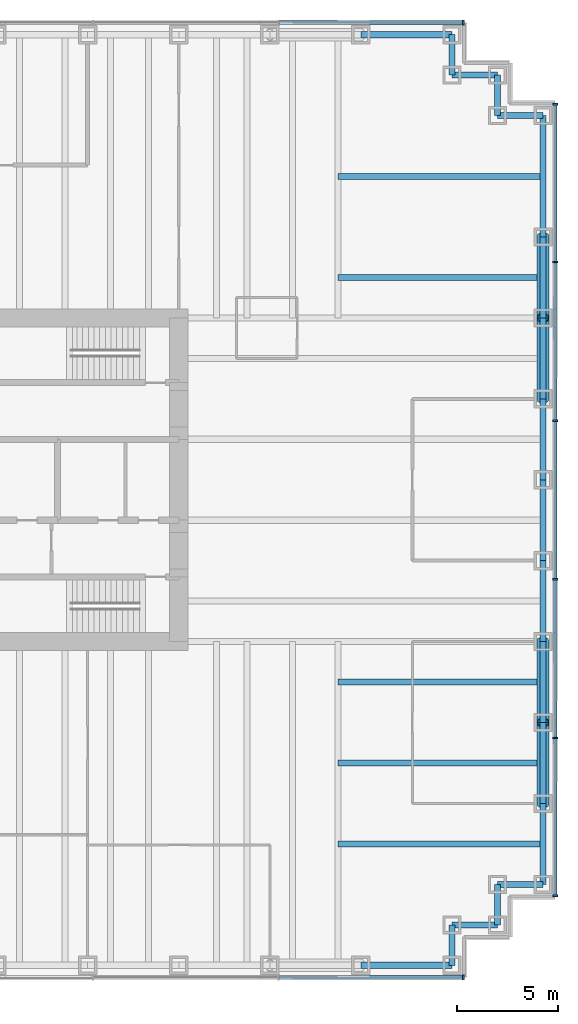
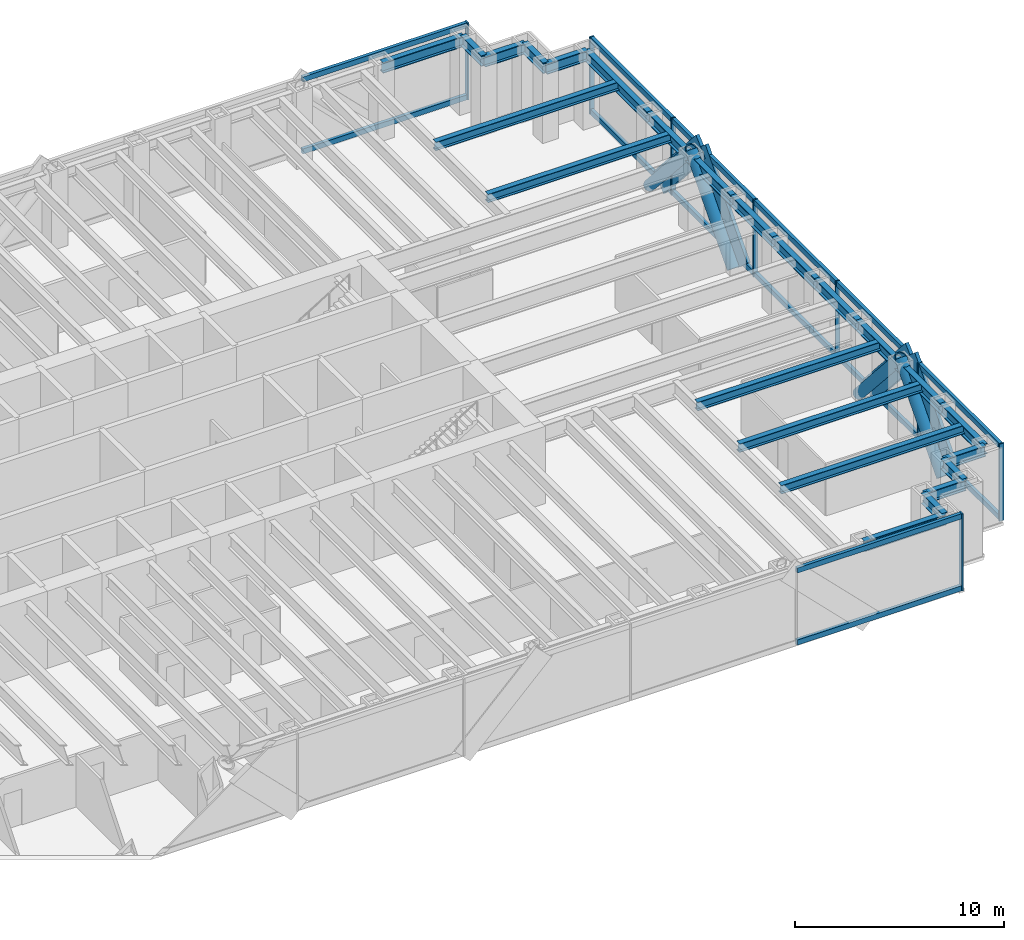
# One storey, part 7 of 13: 30 members, 24 beams, 3 elements without a shape of their own.
"""IFC4 building model written with IfcOpenShell, lengths in metres."""

from ifc_helpers import new_model, si_unit, direction, frame, origin, origin_2d, place, context, subcontext, project, spatial, rectangle, hollow_circle, i_section, extrude, material, material_profile, profile_set, type_object, element, aggregate, save


model = new_model("IFC4")

# Units and contexts
model_context = context("Model", 3, precision=1e-05, world=origin(), true_north=direction((0.0, 1.0)))
body_context = subcontext(model_context, "Body", "Model", "MODEL_VIEW")
ifc_project = project(units=[si_unit("LENGTHUNIT", "METRE"), si_unit("AREAUNIT", "SQUARE_METRE"), si_unit("VOLUMEUNIT", "CUBIC_METRE"), si_unit("PLANEANGLEUNIT", "RADIAN"), si_unit("MASSUNIT", "GRAM", prefix="KILO")], contexts=[model_context])

# Site, building, storey
site_placement = place(None, origin())
site = spatial("IfcSite", under=ifc_project, at=site_placement, CompositionType="ELEMENT")
building_placement = place(site_placement, origin())
building = spatial("IfcBuilding", under=site, at=building_placement, Name="Rheinbord Bourse Tower", CompositionType="ELEMENT")
storey_placement = place(building_placement, frame((0.0, 0.0, 68.0)))
storey = spatial("IfcBuildingStorey", under=building, at=storey_placement, Name="L14", CompositionType="ELEMENT", Elevation=68.0)

# Curtain wall, members
ifc_material_1 = material(Name="Dark glass and black aluminium", Category="aluminium")
curtain_wall_type = type_object("IfcCurtainWallType", Name="CW1 DARK GLASS CURTAIN WALL", PredefinedType="USERDEFINED", material=ifc_material_1)
curtain_wall_1_placement = place(storey_placement, origin())
curtain_wall_1 = element("IfcCurtainWall", 1, at=curtain_wall_1_placement, inside=storey, type_object=curtain_wall_type, Name="Curtain wall CW1 E L14", ObjectType="UNITISED CURTAIN WALL", PredefinedType="USERDEFINED")
ifc_material_2 = material(Name="Black anodised aluminium", Category="aluminium")
ifc_material_profile_1 = material_profile(ifc_material_2, rectangle(XDim=0.179931640625, YDim=1.2099609375, at=origin_2d()), Name="CW1 DIAGONAL MULLION 1210x180")
ifc_profile_set_1 = profile_set([ifc_material_profile_1], Name="Black anodised aluminium")
member_type_1 = type_object("IfcMemberType", Name="CW1 BLACK DIAGONAL MULLION", PredefinedType="USERDEFINED", material=ifc_profile_set_1)
member_1_placement = place(storey_placement, frame((72.60009765625, 16.0, 0.0), z_axis=(0.0, -0.66436383883, 0.747409318684), x_axis=(1.0, 0.0, 0.0)))
member_1 = element("IfcMember", 2, at=member_1_placement, type_object=member_type_1, Name="CW1 diagonal mullion a", ObjectType="DIAGONAL MULLION", PredefinedType="USERDEFINED", context=body_context, shape_type="SweptSolid", body=[
    extrude(rectangle(XDim=0.179931640625, YDim=1.2099609375, at=origin_2d()), origin(), (0.0, 0.0, 1.0), 6.020751953125),
])
member_2_placement = place(storey_placement, frame((72.60009765625, 28.0, 0.0), z_axis=(0.0, 0.66436383883, 0.747409318684), x_axis=(-1.0, 0.0, 0.0)))
member_2 = element("IfcMember", 3, at=member_2_placement, type_object=member_type_1, Name="CW1 diagonal mullion b", ObjectType="DIAGONAL MULLION", PredefinedType="USERDEFINED", context=body_context, shape_type="SweptSolid", body=[
    extrude(rectangle(XDim=0.179931640625, YDim=1.2099609375, at=origin_2d()), origin(), (0.0, 0.0, 1.0), 6.020751953125),
])
member_3_placement = place(storey_placement, frame((72.60009765625, 8.0, 0.0), z_axis=(0.0, 0.66436383883, 0.747409318684), x_axis=(-1.0, 0.0, 0.0)))
member_3 = element("IfcMember", 4, at=member_3_placement, type_object=member_type_1, Name="CW1 diagonal mullion c", ObjectType="DIAGONAL MULLION", PredefinedType="USERDEFINED", context=body_context, shape_type="SweptSolid", body=[
    extrude(rectangle(XDim=0.179931640625, YDim=1.2099609375, at=origin_2d()), origin(), (0.0, 0.0, 1.0), 6.020751953125),
])
member_4_placement = place(storey_placement, frame((72.60009765625, 36.0, 0.0), z_axis=(0.0, -0.66436383883, 0.747409318684), x_axis=(1.0, 0.0, 0.0)))
member_4 = element("IfcMember", 5, at=member_4_placement, type_object=member_type_1, Name="CW1 diagonal mullion d", ObjectType="DIAGONAL MULLION", PredefinedType="USERDEFINED", context=body_context, shape_type="SweptSolid", body=[
    extrude(rectangle(XDim=0.179931640625, YDim=1.2099609375, at=origin_2d()), origin(), (0.0, 0.0, 1.0), 6.020751953125),
])

# Curtain wall, member
curtain_wall_2_placement = place(storey_placement, origin())
curtain_wall_2 = element("IfcCurtainWall", 6, at=curtain_wall_2_placement, inside=storey, type_object=curtain_wall_type, Name="Curtain wall CW1 S L14", ObjectType="UNITISED CURTAIN WALL", PredefinedType="USERDEFINED")
ifc_material_3 = material(Name="Black anodised aluminium", Category="aluminium")
ifc_material_profile_2 = material_profile(ifc_material_3, rectangle(XDim=0.25, YDim=0.080078125, at=origin_2d()), Name="CW1 MULLION 80x250")
ifc_profile_set_2 = profile_set([ifc_material_profile_2], Name="Black anodised aluminium")
member_type_2 = type_object("IfcMemberType", Name="CW1 BLACK MULLION", PredefinedType="MULLION", material=ifc_profile_set_2)
member_5_placement = place(storey_placement, frame((68.06005859375, -0.60009765625, 0.0), z_axis=(0.0, 0.0, 1.0), x_axis=(0.0, 1.0, 0.0)))
member_5 = element("IfcMember", 7, at=member_5_placement, type_object=member_type_2, Name="CW1 mullion 8", PredefinedType="MULLION", context=body_context, shape_type="SweptSolid", body=[
    extrude(rectangle(XDim=0.25, YDim=0.080078125, at=origin_2d()), origin(), (0.0, 0.0, 1.0), 4.5),
])

# Member
member_6_placement = place(storey_placement, frame((72.60009765625, 3.43994140625, 0.0), z_axis=(0.0, 0.0, 1.0), x_axis=(-1.0, 0.0, 0.0)))
member_6 = element("IfcMember", 8, at=member_6_placement, type_object=member_type_2, Name="CW1 mullion 1", PredefinedType="MULLION", context=body_context, shape_type="SweptSolid", body=[
    extrude(rectangle(XDim=0.25, YDim=0.080078125, at=origin_2d()), origin(), (0.0, 0.0, 1.0), 4.5),
])

member_7_placement = place(storey_placement, frame((72.60009765625, 11.239990234375, 0.0), z_axis=(0.0, 0.0, 1.0), x_axis=(-1.0, 0.0, 0.0)))
member_7 = element("IfcMember", 9, at=member_7_placement, type_object=member_type_2, Name="CW1 mullion 2", PredefinedType="MULLION", context=body_context, shape_type="SweptSolid", body=[
    extrude(rectangle(XDim=0.25, YDim=0.080078125, at=origin_2d()), origin(), (0.0, 0.0, 1.0), 4.5),
])

member_8_placement = place(storey_placement, frame((72.60009765625, 19.080078125, 0.0), z_axis=(0.0, 0.0, 1.0), x_axis=(-1.0, 0.0, 0.0)))
member_8 = element("IfcMember", 10, at=member_8_placement, type_object=member_type_2, Name="CW1 mullion 3", PredefinedType="MULLION", context=body_context, shape_type="SweptSolid", body=[
    extrude(rectangle(XDim=0.25, YDim=0.080078125, at=origin_2d()), origin(), (0.0, 0.0, 1.0), 4.5),
])

member_9_placement = place(storey_placement, frame((72.60009765625, 26.919921875, 0.0), z_axis=(0.0, 0.0, 1.0), x_axis=(-1.0, 0.0, 0.0)))
member_9 = element("IfcMember", 11, at=member_9_placement, type_object=member_type_2, Name="CW1 mullion 4", PredefinedType="MULLION", context=body_context, shape_type="SweptSolid", body=[
    extrude(rectangle(XDim=0.25, YDim=0.080078125, at=origin_2d()), origin(), (0.0, 0.0, 1.0), 4.5),
])

member_10_placement = place(storey_placement, frame((72.60009765625, 34.760009765625, 0.0), z_axis=(0.0, 0.0, 1.0), x_axis=(-1.0, 0.0, 0.0)))
member_10 = element("IfcMember", 12, at=member_10_placement, type_object=member_type_2, Name="CW1 mullion 5", PredefinedType="MULLION", context=body_context, shape_type="SweptSolid", body=[
    extrude(rectangle(XDim=0.25, YDim=0.080078125, at=origin_2d()), origin(), (0.0, 0.0, 1.0), 4.5),
])

member_11_placement = place(storey_placement, frame((72.60009765625, 42.56005859375, 0.0), z_axis=(0.0, 0.0, 1.0), x_axis=(-1.0, 0.0, 0.0)))
member_11 = element("IfcMember", 13, at=member_11_placement, type_object=member_type_2, Name="CW1 mullion 6", PredefinedType="MULLION", context=body_context, shape_type="SweptSolid", body=[
    extrude(rectangle(XDim=0.25, YDim=0.080078125, at=origin_2d()), origin(), (0.0, 0.0, 1.0), 4.5),
])

# Curtain wall, member
curtain_wall_3_placement = place(storey_placement, origin())
curtain_wall_3 = element("IfcCurtainWall", 14, at=curtain_wall_3_placement, inside=storey, type_object=curtain_wall_type, Name="Curtain wall CW1 N L14", ObjectType="UNITISED CURTAIN WALL", PredefinedType="USERDEFINED")
member_12_placement = place(storey_placement, frame((68.06005859375, 46.60009765625, 0.0), z_axis=(0.0, 0.0, 1.0), x_axis=(0.0, -1.0, 0.0)))
member_12 = element("IfcMember", 15, at=member_12_placement, type_object=member_type_2, Name="CW1 mullion 1", PredefinedType="MULLION", context=body_context, shape_type="SweptSolid", body=[
    extrude(rectangle(XDim=0.25, YDim=0.080078125, at=origin_2d()), origin(), (0.0, 0.0, 1.0), 4.5),
])

# Member
ifc_material_4 = material(Name="Black anodised aluminium", Category="aluminium")
ifc_material_profile_3 = material_profile(ifc_material_4, rectangle(XDim=0.179931640625, YDim=0.300048828125, at=origin_2d()), Name="CW1 TRANSOM 300x180")
ifc_profile_set_3 = profile_set([ifc_material_profile_3], Name="Black anodised aluminium")
member_type_3 = type_object("IfcMemberType", Name="CW1 BLACK TRANSOM", PredefinedType="USERDEFINED", material=ifc_profile_set_3)
member_13_placement = place(storey_placement, frame((58.968505859375, -0.60009765625, 0.14990234375), z_axis=(1.0, 0.0, 0.0), x_axis=(0.0, 1.0, 0.0)))
member_13 = element("IfcMember", 16, at=member_13_placement, type_object=member_type_3, Name="CW1 transom 7.1", ObjectType="TRANSOM", PredefinedType="USERDEFINED", context=body_context, shape_type="SweptSolid", body=[
    extrude(rectangle(XDim=0.179931640625, YDim=0.300048828125, at=origin_2d()), origin(), (0.0, 0.0, 1.0), 9.051513671875),
])

member_14_placement = place(storey_placement, frame((58.968505859375, -0.60009765625, 4.35009765625), z_axis=(1.0, 0.0, 0.0), x_axis=(0.0, 1.0, 0.0)))
member_14 = element("IfcMember", 17, at=member_14_placement, type_object=member_type_3, Name="CW1 transom 7.2", ObjectType="TRANSOM", PredefinedType="USERDEFINED", context=body_context, shape_type="SweptSolid", body=[
    extrude(rectangle(XDim=0.179931640625, YDim=0.300048828125, at=origin_2d()), origin(), (0.0, 0.0, 1.0), 9.051513671875),
])

aggregate(curtain_wall_2, [member_5, member_13, member_14])

member_15_placement = place(storey_placement, frame((72.60009765625, 3.47998046875, 0.14990234375), z_axis=(0.0, 1.0, 0.0), x_axis=(-1.0, 0.0, 0.0)))
member_15 = element("IfcMember", 18, at=member_15_placement, type_object=member_type_3, Name="CW1 transom 1.1", ObjectType="TRANSOM", PredefinedType="USERDEFINED", context=body_context, shape_type="SweptSolid", body=[
    extrude(rectangle(XDim=0.179931640625, YDim=0.300048828125, at=origin_2d()), origin(), (0.0, 0.0, 1.0), 7.719970703125),
])

member_16_placement = place(storey_placement, frame((72.60009765625, 3.47998046875, 4.35009765625), z_axis=(0.0, 1.0, 0.0), x_axis=(-1.0, 0.0, 0.0)))
member_16 = element("IfcMember", 19, at=member_16_placement, type_object=member_type_3, Name="CW1 transom 1.2", ObjectType="TRANSOM", PredefinedType="USERDEFINED", context=body_context, shape_type="SweptSolid", body=[
    extrude(rectangle(XDim=0.179931640625, YDim=0.300048828125, at=origin_2d()), origin(), (0.0, 0.0, 1.0), 7.719970703125),
])

member_17_placement = place(storey_placement, frame((72.60009765625, 11.280029296875, 0.14990234375), z_axis=(0.0, 1.0, 0.0), x_axis=(-1.0, 0.0, 0.0)))
member_17 = element("IfcMember", 20, at=member_17_placement, type_object=member_type_3, Name="CW1 transom 2.1", ObjectType="TRANSOM", PredefinedType="USERDEFINED", context=body_context, shape_type="SweptSolid", body=[
    extrude(rectangle(XDim=0.179931640625, YDim=0.300048828125, at=origin_2d()), origin(), (0.0, 0.0, 1.0), 7.760009765625),
])

member_18_placement = place(storey_placement, frame((72.60009765625, 11.280029296875, 4.35009765625), z_axis=(0.0, 1.0, 0.0), x_axis=(-1.0, 0.0, 0.0)))
member_18 = element("IfcMember", 21, at=member_18_placement, type_object=member_type_3, Name="CW1 transom 2.2", ObjectType="TRANSOM", PredefinedType="USERDEFINED", context=body_context, shape_type="SweptSolid", body=[
    extrude(rectangle(XDim=0.179931640625, YDim=0.300048828125, at=origin_2d()), origin(), (0.0, 0.0, 1.0), 7.760009765625),
])

member_19_placement = place(storey_placement, frame((72.60009765625, 19.1201171875, 0.14990234375), z_axis=(0.0, 1.0, 0.0), x_axis=(-1.0, 0.0, 0.0)))
member_19 = element("IfcMember", 22, at=member_19_placement, type_object=member_type_3, Name="CW1 transom 3.1", ObjectType="TRANSOM", PredefinedType="USERDEFINED", context=body_context, shape_type="SweptSolid", body=[
    extrude(rectangle(XDim=0.179931640625, YDim=0.300048828125, at=origin_2d()), origin(), (0.0, 0.0, 1.0), 7.759765625),
])

member_20_placement = place(storey_placement, frame((72.60009765625, 19.1201171875, 4.35009765625), z_axis=(0.0, 1.0, 0.0), x_axis=(-1.0, 0.0, 0.0)))
member_20 = element("IfcMember", 23, at=member_20_placement, type_object=member_type_3, Name="CW1 transom 3.2", ObjectType="TRANSOM", PredefinedType="USERDEFINED", context=body_context, shape_type="SweptSolid", body=[
    extrude(rectangle(XDim=0.179931640625, YDim=0.300048828125, at=origin_2d()), origin(), (0.0, 0.0, 1.0), 7.759765625),
])

member_21_placement = place(storey_placement, frame((72.60009765625, 26.9599609375, 0.14990234375), z_axis=(0.0, 1.0, 0.0), x_axis=(-1.0, 0.0, 0.0)))
member_21 = element("IfcMember", 24, at=member_21_placement, type_object=member_type_3, Name="CW1 transom 4.1", ObjectType="TRANSOM", PredefinedType="USERDEFINED", context=body_context, shape_type="SweptSolid", body=[
    extrude(rectangle(XDim=0.179931640625, YDim=0.300048828125, at=origin_2d()), origin(), (0.0, 0.0, 1.0), 7.760009765625),
])

member_22_placement = place(storey_placement, frame((72.60009765625, 26.9599609375, 4.35009765625), z_axis=(0.0, 1.0, 0.0), x_axis=(-1.0, 0.0, 0.0)))
member_22 = element("IfcMember", 25, at=member_22_placement, type_object=member_type_3, Name="CW1 transom 4.2", ObjectType="TRANSOM", PredefinedType="USERDEFINED", context=body_context, shape_type="SweptSolid", body=[
    extrude(rectangle(XDim=0.179931640625, YDim=0.300048828125, at=origin_2d()), origin(), (0.0, 0.0, 1.0), 7.760009765625),
])

member_23_placement = place(storey_placement, frame((72.60009765625, 34.800048828125, 0.14990234375), z_axis=(0.0, 1.0, 0.0), x_axis=(-1.0, 0.0, 0.0)))
member_23 = element("IfcMember", 26, at=member_23_placement, type_object=member_type_3, Name="CW1 transom 5.1", ObjectType="TRANSOM", PredefinedType="USERDEFINED", context=body_context, shape_type="SweptSolid", body=[
    extrude(rectangle(XDim=0.179931640625, YDim=0.300048828125, at=origin_2d()), origin(), (0.0, 0.0, 1.0), 7.719970703125),
])

member_24_placement = place(storey_placement, frame((72.60009765625, 34.800048828125, 4.35009765625), z_axis=(0.0, 1.0, 0.0), x_axis=(-1.0, 0.0, 0.0)))
member_24 = element("IfcMember", 27, at=member_24_placement, type_object=member_type_3, Name="CW1 transom 5.2", ObjectType="TRANSOM", PredefinedType="USERDEFINED", context=body_context, shape_type="SweptSolid", body=[
    extrude(rectangle(XDim=0.179931640625, YDim=0.300048828125, at=origin_2d()), origin(), (0.0, 0.0, 1.0), 7.719970703125),
])

aggregate(curtain_wall_1, [member_6, member_7, member_8, member_9, member_10, member_11, member_15, member_16, member_17, member_18, member_19, member_20, member_21, member_22, member_23, member_24, member_1, member_2, member_3, member_4])

member_25_placement = place(storey_placement, frame((68.02001953125, 46.60009765625, 0.14990234375), z_axis=(-1.0, 0.0, 0.0), x_axis=(0.0, -1.0, 0.0)))
member_25 = element("IfcMember", 28, at=member_25_placement, type_object=member_type_3, Name="CW1 transom 1.1", ObjectType="TRANSOM", PredefinedType="USERDEFINED", context=body_context, shape_type="SweptSolid", body=[
    extrude(rectangle(XDim=0.179931640625, YDim=0.300048828125, at=origin_2d()), origin(), (0.0, 0.0, 1.0), 9.051513671875),
])

member_26_placement = place(storey_placement, frame((68.02001953125, 46.60009765625, 4.35009765625), z_axis=(-1.0, 0.0, 0.0), x_axis=(0.0, -1.0, 0.0)))
member_26 = element("IfcMember", 29, at=member_26_placement, type_object=member_type_3, Name="CW1 transom 1.2", ObjectType="TRANSOM", PredefinedType="USERDEFINED", context=body_context, shape_type="SweptSolid", body=[
    extrude(rectangle(XDim=0.179931640625, YDim=0.300048828125, at=origin_2d()), origin(), (0.0, 0.0, 1.0), 9.051513671875),
])

aggregate(curtain_wall_3, [member_12, member_25, member_26])

# Members
ifc_material_5 = material(Name="Steel S460", Category="steel")
ifc_material_profile_4 = material_profile(ifc_material_5, hollow_circle(Radius=0.304931640625, WallThickness=0.050048828125, at=origin_2d()), Name="CHS 610x50")
ifc_profile_set_4 = profile_set([ifc_material_profile_4], Name="Steel S460")
member_type_4 = type_object("IfcMemberType", Name="MEGABRACE CHS 610x50", PredefinedType="BRACE", material=ifc_profile_set_4)
for number, where, z_axis, x_axis, name in (
    (30, (72.0, 16.0, 0.0), (0.0, -0.66436383883, 0.747409318684), (1.0, 0.0, 0.0), "Megabrace E face line a L14"),
    (31, (72.0, 28.0, 0.0), (0.0, 0.66436383883, 0.747409318684), (-1.0, 0.0, 0.0), "Megabrace E face line b L14"),
    (32, (72.0, 8.0, 0.0), (0.0, 0.66436383883, 0.747409318684), (-1.0, 0.0, 0.0), "Megabrace E face line c L14"),
    (33, (72.0, 36.0, 0.0), (0.0, -0.66436383883, 0.747409318684), (1.0, 0.0, 0.0), "Megabrace E face line d L14"),
):
    element("IfcMember", number, at=place(storey_placement, frame(where, z_axis=z_axis, x_axis=x_axis)), inside=storey, type_object=member_type_4, Name=name, PredefinedType="BRACE", context=body_context, shape_type="SweptSolid", body=[
        extrude(hollow_circle(Radius=0.304931640625, WallThickness=0.050048828125, at=origin_2d()), origin(), (0.0, 0.0, 1.0), 6.020751953125),
    ])

# Beams
ifc_material_6 = material(Name="Steel S460", Category="steel")
ifc_material_profile_5 = material_profile(ifc_material_6, i_section(OverallWidth=0.304931640625, OverallDepth=0.6201171875, WebThickness=0.02099609375, FlangeThickness=0.0400390625, at=origin_2d()), Name="HEM 600")
ifc_profile_set_5 = profile_set([ifc_material_profile_5], Name="Steel S460")
beam_type_1 = type_object("IfcBeamType", Name="SPANDREL HEM 600", PredefinedType="SPANDREL", material=ifc_profile_set_5)
beam_1_placement = place(storey_placement, frame((63.0, 0.0, 4.010009765625), z_axis=(1.0, 0.0, 0.0), x_axis=(0.0, 1.0, 0.0)))
element("IfcBeam", 34, at=beam_1_placement, inside=storey, type_object=beam_type_1, Name="Spandrel S-63-SE-E under L15", PredefinedType="SPANDREL", context=body_context, shape_type="SweptSolid", body=[
    extrude(i_section(OverallWidth=0.304931640625, OverallDepth=0.6201171875, WebThickness=0.02099609375, FlangeThickness=0.0400390625, at=origin_2d()), origin(), (0.0, 0.0, 1.0), 4.5),
])
beam_2_placement = place(storey_placement, frame((67.5, 0.0, 4.010009765625), z_axis=(0.0, 1.0, 0.0), x_axis=(-1.0, 0.0, 0.0)))
element("IfcBeam", 35, at=beam_2_placement, inside=storey, type_object=beam_type_1, Name="Spandrel SE-E-SE-D under L15", PredefinedType="SPANDREL", context=body_context, shape_type="SweptSolid", body=[
    extrude(i_section(OverallWidth=0.304931640625, OverallDepth=0.6201171875, WebThickness=0.02099609375, FlangeThickness=0.0400390625, at=origin_2d()), origin(), (0.0, 0.0, 1.0), 2.0),
])
beam_3_placement = place(storey_placement, frame((67.5, 2.0, 4.010009765625), z_axis=(1.0, 0.0, 0.0), x_axis=(0.0, 1.0, 0.0)))
element("IfcBeam", 36, at=beam_3_placement, inside=storey, type_object=beam_type_1, Name="Spandrel SE-D-SE-C under L15", PredefinedType="SPANDREL", context=body_context, shape_type="SweptSolid", body=[
    extrude(i_section(OverallWidth=0.304931640625, OverallDepth=0.6201171875, WebThickness=0.02099609375, FlangeThickness=0.0400390625, at=origin_2d()), origin(), (0.0, 0.0, 1.0), 2.25),
])
beam_4_placement = place(storey_placement, frame((69.75, 2.0, 4.010009765625), z_axis=(0.0, 1.0, 0.0), x_axis=(-1.0, 0.0, 0.0)))
element("IfcBeam", 37, at=beam_4_placement, inside=storey, type_object=beam_type_1, Name="Spandrel SE-C-SE-B under L15", PredefinedType="SPANDREL", context=body_context, shape_type="SweptSolid", body=[
    extrude(i_section(OverallWidth=0.304931640625, OverallDepth=0.6201171875, WebThickness=0.02099609375, FlangeThickness=0.0400390625, at=origin_2d()), origin(), (0.0, 0.0, 1.0), 2.0),
])
beam_5_placement = place(storey_placement, frame((69.75, 4.0, 4.010009765625), z_axis=(1.0, 0.0, 0.0), x_axis=(0.0, 1.0, 0.0)))
element("IfcBeam", 38, at=beam_5_placement, inside=storey, type_object=beam_type_1, Name="Spandrel SE-B-SE-A under L15", PredefinedType="SPANDREL", context=body_context, shape_type="SweptSolid", body=[
    extrude(i_section(OverallWidth=0.304931640625, OverallDepth=0.6201171875, WebThickness=0.02099609375, FlangeThickness=0.0400390625, at=origin_2d()), origin(), (0.0, 0.0, 1.0), 2.25),
])
for number, where, z_axis, x_axis, name in (
    (39, (72.0, 4.0, 4.010009765625), (0.0, 1.0, 0.0), (-1.0, 0.0, 0.0), "Spandrel SE-A-E-8 under L15"),
    (40, (72.0, 8.0, 4.010009765625), (0.0, 1.0, 0.0), (-1.0, 0.0, 0.0), "Spandrel E-8-E-12 under L15"),
    (41, (72.0, 12.0, 4.010009765625), (0.0, 1.0, 0.0), (-1.0, 0.0, 0.0), "Spandrel E-12-E-16 under L15"),
    (42, (72.0, 16.0, 4.010009765625), (0.0, 1.0, 0.0), (-1.0, 0.0, 0.0), "Spandrel E-16-E-20 under L15"),
    (43, (72.0, 20.0, 4.010009765625), (0.0, 1.0, 0.0), (-1.0, 0.0, 0.0), "Spandrel E-20-E-24 under L15"),
    (44, (72.0, 24.0, 4.010009765625), (0.0, 1.0, 0.0), (-1.0, 0.0, 0.0), "Spandrel E-24-E-28 under L15"),
    (45, (72.0, 28.0, 4.010009765625), (0.0, 1.0, 0.0), (-1.0, 0.0, 0.0), "Spandrel E-28-E-32 under L15"),
    (46, (72.0, 32.0, 4.010009765625), (0.0, 1.0, 0.0), (-1.0, 0.0, 0.0), "Spandrel E-32-E-36 under L15"),
):
    element("IfcBeam", number, at=place(storey_placement, frame(where, z_axis=z_axis, x_axis=x_axis)), inside=storey, type_object=beam_type_1, Name=name, PredefinedType="SPANDREL", context=body_context, shape_type="SweptSolid", body=[
        extrude(i_section(OverallWidth=0.304931640625, OverallDepth=0.6201171875, WebThickness=0.02099609375, FlangeThickness=0.0400390625, at=origin_2d()), origin(), (0.0, 0.0, 1.0), 4.0),
    ])
beam_6_placement = place(storey_placement, frame((72.0, 36.0, 4.010009765625), z_axis=(0.0, 1.0, 0.0), x_axis=(-1.0, 0.0, 0.0)))
element("IfcBeam", 47, at=beam_6_placement, inside=storey, type_object=beam_type_1, Name="Spandrel E-36-NE-A under L15", PredefinedType="SPANDREL", context=body_context, shape_type="SweptSolid", body=[
    extrude(i_section(OverallWidth=0.304931640625, OverallDepth=0.6201171875, WebThickness=0.02099609375, FlangeThickness=0.0400390625, at=origin_2d()), origin(), (0.0, 0.0, 1.0), 6.0),
])
beam_7_placement = place(storey_placement, frame((72.0, 42.0, 4.010009765625), z_axis=(-1.0, 0.0, 0.0), x_axis=(0.0, -1.0, 0.0)))
element("IfcBeam", 48, at=beam_7_placement, inside=storey, type_object=beam_type_1, Name="Spandrel NE-A-NE-B under L15", PredefinedType="SPANDREL", context=body_context, shape_type="SweptSolid", body=[
    extrude(i_section(OverallWidth=0.304931640625, OverallDepth=0.6201171875, WebThickness=0.02099609375, FlangeThickness=0.0400390625, at=origin_2d()), origin(), (0.0, 0.0, 1.0), 2.25),
])
beam_8_placement = place(storey_placement, frame((69.75, 42.0, 4.010009765625), z_axis=(0.0, 1.0, 0.0), x_axis=(-1.0, 0.0, 0.0)))
element("IfcBeam", 49, at=beam_8_placement, inside=storey, type_object=beam_type_1, Name="Spandrel NE-B-NE-C under L15", PredefinedType="SPANDREL", context=body_context, shape_type="SweptSolid", body=[
    extrude(i_section(OverallWidth=0.304931640625, OverallDepth=0.6201171875, WebThickness=0.02099609375, FlangeThickness=0.0400390625, at=origin_2d()), origin(), (0.0, 0.0, 1.0), 2.0),
])
beam_9_placement = place(storey_placement, frame((69.75, 44.0, 4.010009765625), z_axis=(-1.0, 0.0, 0.0), x_axis=(0.0, -1.0, 0.0)))
element("IfcBeam", 50, at=beam_9_placement, inside=storey, type_object=beam_type_1, Name="Spandrel NE-C-NE-D under L15", PredefinedType="SPANDREL", context=body_context, shape_type="SweptSolid", body=[
    extrude(i_section(OverallWidth=0.304931640625, OverallDepth=0.6201171875, WebThickness=0.02099609375, FlangeThickness=0.0400390625, at=origin_2d()), origin(), (0.0, 0.0, 1.0), 2.25),
])
beam_10_placement = place(storey_placement, frame((67.5, 44.0, 4.010009765625), z_axis=(0.0, 1.0, 0.0), x_axis=(-1.0, 0.0, 0.0)))
element("IfcBeam", 51, at=beam_10_placement, inside=storey, type_object=beam_type_1, Name="Spandrel NE-D-NE-E under L15", PredefinedType="SPANDREL", context=body_context, shape_type="SweptSolid", body=[
    extrude(i_section(OverallWidth=0.304931640625, OverallDepth=0.6201171875, WebThickness=0.02099609375, FlangeThickness=0.0400390625, at=origin_2d()), origin(), (0.0, 0.0, 1.0), 2.0),
])
beam_11_placement = place(storey_placement, frame((67.5, 46.0, 4.010009765625), z_axis=(-1.0, 0.0, 0.0), x_axis=(0.0, -1.0, 0.0)))
element("IfcBeam", 52, at=beam_11_placement, inside=storey, type_object=beam_type_1, Name="Spandrel NE-E-N-63 under L15", PredefinedType="SPANDREL", context=body_context, shape_type="SweptSolid", body=[
    extrude(i_section(OverallWidth=0.304931640625, OverallDepth=0.6201171875, WebThickness=0.02099609375, FlangeThickness=0.0400390625, at=origin_2d()), origin(), (0.0, 0.0, 1.0), 4.5),
])
ifc_material_7 = material(Name="Steel S460", Category="steel")
ifc_material_profile_6 = material_profile(ifc_material_7, i_section(OverallWidth=0.300048828125, OverallDepth=0.5, WebThickness=0.014404296875, FlangeThickness=0.028076171875, at=origin_2d()), Name="HEB 500")
ifc_profile_set_6 = profile_set([ifc_material_profile_6], Name="Steel S460")
beam_type_2 = type_object("IfcBeamType", Name="TIE BEAM HEB 500", PredefinedType="JOIST", material=ifc_profile_set_6)
for number, where, z_axis, x_axis, name in (
    (53, (61.875, 6.0, 4.070068359375), (1.0, 0.0, 0.0), (0.0, 1.0, 0.0), "Tie east 6 L15"),
    (54, (61.875, 10.0, 4.070068359375), (1.0, 0.0, 0.0), (0.0, 1.0, 0.0), "Tie east 10 L15"),
    (55, (61.875, 14.0, 4.070068359375), (1.0, 0.0, 0.0), (0.0, 1.0, 0.0), "Tie east 14 L15"),
    (56, (61.875, 34.0, 4.070068359375), (1.0, 0.0, 0.0), (0.0, 1.0, 0.0), "Tie east 34 L15"),
    (57, (61.875, 39.0, 4.070068359375), (1.0, 0.0, 0.0), (0.0, 1.0, 0.0), "Tie east 39 L15"),
):
    element("IfcBeam", number, at=place(storey_placement, frame(where, z_axis=z_axis, x_axis=x_axis)), inside=storey, type_object=beam_type_2, Name=name, PredefinedType="JOIST", context=body_context, shape_type="SweptSolid", body=[
        extrude(i_section(OverallWidth=0.300048828125, OverallDepth=0.5, WebThickness=0.014404296875, FlangeThickness=0.028076171875, at=origin_2d()), origin(), (0.0, 0.0, 1.0), 10.125),
    ])

save(model, "model.ifc")
